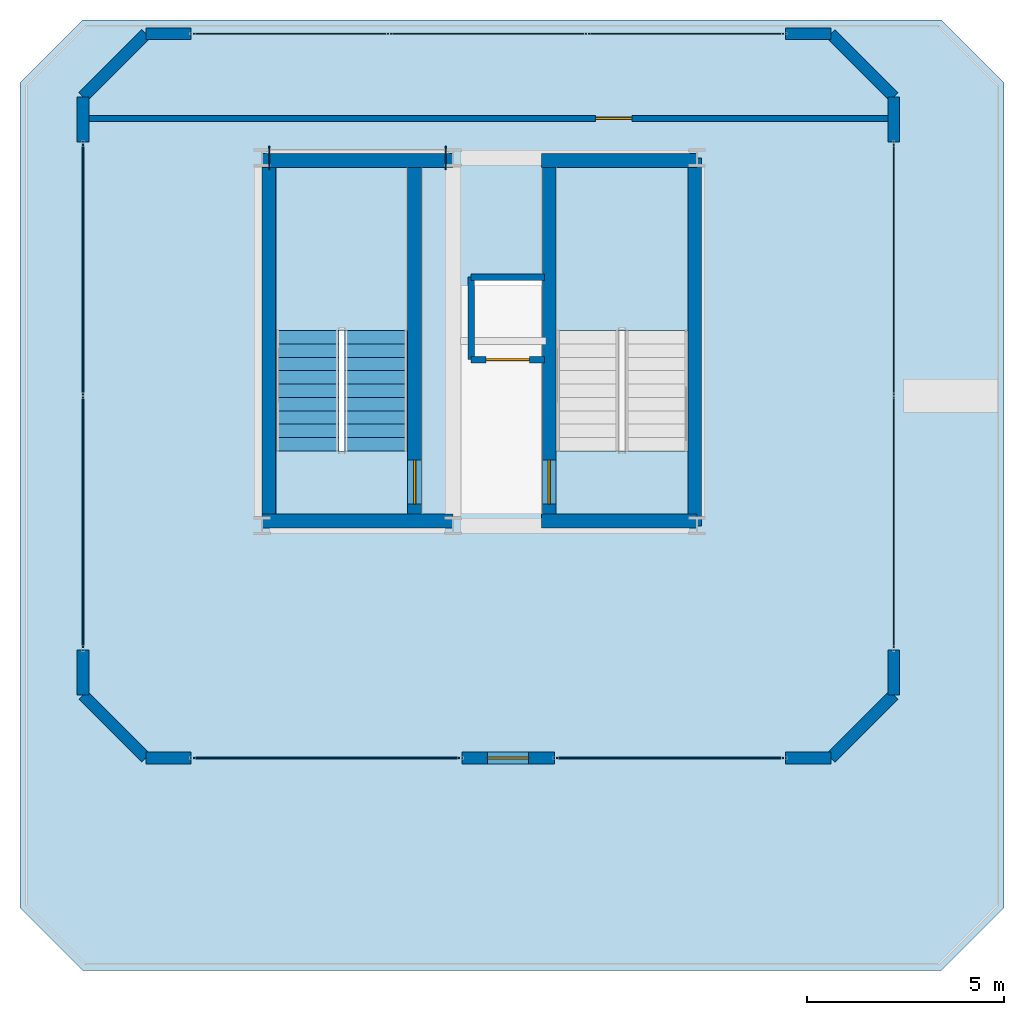
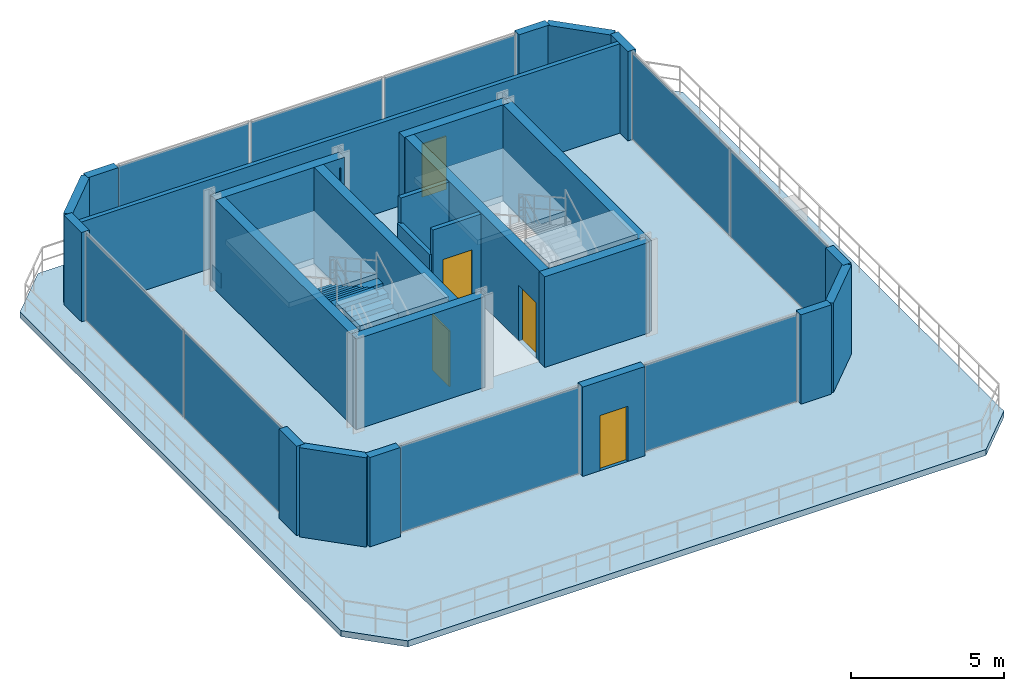
# One storey, part 10 of 12: 25 walls, 11 plates, 5 doors, 5 slabs, 2 stair flights, 5 openings, 7 elements without a shape of their own.
"""IFC4 building model written with IfcOpenShell, lengths in metres."""

from ifc_helpers import new_model, si_unit, direction, frame, frame_2d, origin, origin_2d, place, context, subcontext, project, spatial, polyline, rectangle, outline, extrude, material, layer, layer_set, type_object, element, fill, aggregate, save


model = new_model("IFC4")

# Units and contexts
model_context = context("Model", 3, precision=1e-05, world=origin(), true_north=direction((0.0, 1.0)))
body_context = subcontext(model_context, "Body", "Model", "MODEL_VIEW")
ifc_project = project(units=[si_unit("LENGTHUNIT", "METRE"), si_unit("AREAUNIT", "SQUARE_METRE"), si_unit("VOLUMEUNIT", "CUBIC_METRE"), si_unit("PLANEANGLEUNIT", "RADIAN"), si_unit("MASSUNIT", "GRAM", prefix="KILO")], contexts=[model_context])

# Site, building, storey
site_placement = place(None, origin())
site = spatial("IfcSite", under=ifc_project, at=site_placement, CompositionType="ELEMENT")
building_placement = place(site_placement, origin())
building = spatial("IfcBuilding", under=site, at=building_placement, Name="Zuhayl Quay Hotel", CompositionType="ELEMENT")
storey_placement = place(building_placement, frame((0.0, 0.0, 312.449951171875)))
storey = spatial("IfcBuildingStorey", under=building, at=storey_placement, Name="Crown 5", CompositionType="ELEMENT", Elevation=312.449951171875)

# Curtain wall, plates
ifc_material_1 = material(Name="Anodised Aluminium 6063-T6", Category="aluminium")
ifc_layer_1 = layer(ifc_material_1, 0.159912109375, Name="Anodised Aluminium 6063-T6", Category="aluminium")
ifc_layer_set_1 = layer_set([ifc_layer_1], Name="Anodised Aluminium 6063-T6")
curtain_wall_type = type_object("IfcCurtainWallType", Name="CW_SYS_CRN", PredefinedType="USERDEFINED", material=ifc_layer_set_1)
curtain_wall_1_placement = place(storey_placement, origin())
curtain_wall_1 = element("IfcCurtainWall", 1, at=curtain_wall_1_placement, inside=storey, type_object=curtain_wall_type, Name="Crown 5 Curtain Wall ENV_CR5_E1_CW1", ObjectType="UNITISED CURTAIN WALL", PredefinedType="USERDEFINED")
ifc_material_2 = material(Name="Spandrel Fritted Solar Glass", Category="glass")
ifc_layer_2 = layer(ifc_material_2, 0.028076171875, Name="Spandrel Fritted Solar Glass", Category="glass")
ifc_layer_set_2 = layer_set([ifc_layer_2], Name="Spandrel Fritted Solar Glass")
plate_type_1 = type_object("IfcPlateType", Name="PN_CROWN_SCREEN", PredefinedType="CURTAIN_PANEL", material=ifc_layer_set_2)
plate_1_placement = place(storey_placement, frame((-14.0, 25.18994140625, 0.05517578125), z_axis=(0.0, 0.0, 1.0), x_axis=(0.0, 1.0, 0.0)))
plate_1 = element("IfcPlate", 2, at=plate_1_placement, type_object=plate_type_1, Name="CW-CRN panel 1.1", PredefinedType="CURTAIN_PANEL", context=body_context, shape_type="SweptSolid", body=[
    extrude(rectangle(XDim=6.360107421875, YDim=0.028076171875, at=origin_2d()), origin(), (0.0, 0.0, 1.0), 3.449951171875),
])
plate_2_placement = place(storey_placement, frame((-14.0, 31.610107421875, 0.05517578125), z_axis=(0.0, 0.0, 1.0), x_axis=(0.0, 1.0, 0.0)))
plate_2 = element("IfcPlate", 3, at=plate_2_placement, type_object=plate_type_1, Name="CW-CRN panel 2.1", PredefinedType="CURTAIN_PANEL", context=body_context, shape_type="SweptSolid", body=[
    extrude(rectangle(XDim=6.360107421875, YDim=0.028076171875, at=origin_2d()), origin(), (0.0, 0.0, 1.0), 3.449951171875),
])
aggregate(curtain_wall_1, [plate_1, plate_2])

curtain_wall_2_placement = place(storey_placement, origin())
curtain_wall_2 = element("IfcCurtainWall", 4, at=curtain_wall_2_placement, inside=storey, type_object=curtain_wall_type, Name="Crown 5 Curtain Wall ENV_CR5_E3_CW1", ObjectType="UNITISED CURTAIN WALL", PredefinedType="USERDEFINED")
plate_3_placement = place(storey_placement, frame((-8.71826171875, 37.60009765625, 0.05517578125), z_axis=(0.0, 0.0, 1.0), x_axis=(1.0, 0.0, 0.0)))
plate_3 = element("IfcPlate", 5, at=plate_3_placement, type_object=plate_type_1, Name="CW-CRN panel 1.1", PredefinedType="CURTAIN_PANEL", context=body_context, shape_type="SweptSolid", body=[
    extrude(rectangle(XDim=4.943359375, YDim=0.028076171875, at=origin_2d()), origin(), (0.0, 0.0, 1.0), 3.449951171875),
])
plate_4_placement = place(storey_placement, frame((-3.699951171875, 37.60009765625, 0.05517578125), z_axis=(0.0, 0.0, 1.0), x_axis=(1.0, 0.0, 0.0)))
plate_4 = element("IfcPlate", 6, at=plate_4_placement, type_object=plate_type_1, Name="CW-CRN panel 2.1", PredefinedType="CURTAIN_PANEL", context=body_context, shape_type="SweptSolid", body=[
    extrude(rectangle(XDim=4.973388671875, YDim=0.028076171875, at=origin_2d()), origin(), (0.0, 0.0, 1.0), 3.449951171875),
])
plate_5_placement = place(storey_placement, frame((1.318359375, 37.60009765625, 0.05517578125), z_axis=(0.0, 0.0, 1.0), x_axis=(1.0, 0.0, 0.0)))
plate_5 = element("IfcPlate", 7, at=plate_5_placement, type_object=plate_type_1, Name="CW-CRN panel 3.1", PredefinedType="CURTAIN_PANEL", context=body_context, shape_type="SweptSolid", body=[
    extrude(rectangle(XDim=4.943359375, YDim=0.028076171875, at=origin_2d()), origin(), (0.0, 0.0, 1.0), 3.449951171875),
])
aggregate(curtain_wall_2, [plate_3, plate_4, plate_5])

curtain_wall_3_placement = place(storey_placement, origin())
curtain_wall_3 = element("IfcCurtainWall", 8, at=curtain_wall_3_placement, inside=storey, type_object=curtain_wall_type, Name="Crown 5 Curtain Wall ENV_CR5_E5_CW1", ObjectType="UNITISED CURTAIN WALL", PredefinedType="USERDEFINED")
plate_6_placement = place(storey_placement, frame((6.60009765625, 31.610107421875, 0.05517578125), z_axis=(0.0, 0.0, 1.0), x_axis=(0.0, -1.0, 0.0)))
plate_6 = element("IfcPlate", 9, at=plate_6_placement, type_object=plate_type_1, Name="CW-CRN panel 1.1", PredefinedType="CURTAIN_PANEL", context=body_context, shape_type="SweptSolid", body=[
    extrude(rectangle(XDim=6.360107421875, YDim=0.028076171875, at=origin_2d()), origin(), (0.0, 0.0, 1.0), 3.449951171875),
])
plate_7_placement = place(storey_placement, frame((6.60009765625, 25.18994140625, 0.05517578125), z_axis=(0.0, 0.0, 1.0), x_axis=(0.0, -1.0, 0.0)))
plate_7 = element("IfcPlate", 10, at=plate_7_placement, type_object=plate_type_1, Name="CW-CRN panel 2.1", PredefinedType="CURTAIN_PANEL", context=body_context, shape_type="SweptSolid", body=[
    extrude(rectangle(XDim=6.360107421875, YDim=0.028076171875, at=origin_2d()), origin(), (0.0, 0.0, 1.0), 3.449951171875),
])
aggregate(curtain_wall_3, [plate_6, plate_7])

# Curtain wall, plate
curtain_wall_4_placement = place(storey_placement, origin())
curtain_wall_4 = element("IfcCurtainWall", 11, at=curtain_wall_4_placement, inside=storey, type_object=curtain_wall_type, Name="Crown 5 Curtain Wall ENV_CR5_E7_CW1", ObjectType="UNITISED CURTAIN WALL", PredefinedType="USERDEFINED")
plate_8_placement = place(storey_placement, frame((0.91259765625, 19.199951171875, 0.05517578125), z_axis=(0.0, 0.0, 1.0), x_axis=(-1.0, 0.0, 0.0)))
plate_8 = element("IfcPlate", 12, at=plate_8_placement, type_object=plate_type_1, Name="CW-CRN panel 1.1", PredefinedType="CURTAIN_PANEL", context=body_context, shape_type="SweptSolid", body=[
    extrude(rectangle(XDim=5.7548828125, YDim=0.028076171875, at=origin_2d()), origin(), (0.0, 0.0, 1.0), 3.449951171875),
])
aggregate(curtain_wall_4, [plate_8])

curtain_wall_5_placement = place(storey_placement, origin())
curtain_wall_5 = element("IfcCurtainWall", 13, at=curtain_wall_5_placement, inside=storey, type_object=curtain_wall_type, Name="Crown 5 Curtain Wall ENV_CR5_E7_CW2", ObjectType="UNITISED CURTAIN WALL", PredefinedType="USERDEFINED")
plate_9_placement = place(storey_placement, frame((-7.8125, 19.199951171875, 0.05517578125), z_axis=(0.0, 0.0, 1.0), x_axis=(-1.0, 0.0, 0.0)))
plate_9 = element("IfcPlate", 14, at=plate_9_placement, type_object=plate_type_1, Name="CW-CRN panel 1.1", PredefinedType="CURTAIN_PANEL", context=body_context, shape_type="SweptSolid", body=[
    extrude(rectangle(XDim=6.7548828125, YDim=0.028076171875, at=origin_2d()), origin(), (0.0, 0.0, 1.0), 3.449951171875),
])
aggregate(curtain_wall_5, [plate_9])

# Slab
ifc_material_3 = material(Name="Concrete C45/55", Category="concrete")
ifc_layer_3 = layer(ifc_material_3, 0.239990234375, Name="Concrete C45/55", Category="concrete")
ifc_layer_set_3 = layer_set([ifc_layer_3], Name="Concrete C45/55")
slab_type_1 = type_object("IfcSlabType", Name="SL_CROWN_ROOF_240", PredefinedType="ROOF", material=ifc_layer_set_3)
slab_1_placement = place(storey_placement, frame((0.0, 0.0, -0.239990234375)))
element("IfcSlab", 15, at=slab_1_placement, inside=storey, type_object=slab_type_1, Name="Crown 5 Stepped Crown Terrace and Roof Slab", PredefinedType="ROOF", context=body_context, shape_type="SweptSolid", body=[
    extrude(outline(polyline([(-14.0, 13.800048828125), (7.800048828125, 13.800048828125), (9.39990234375, 15.39990234375), (9.39990234375, 36.35009765625), (7.800048828125, 37.949951171875), (-14.0, 37.949951171875), (-15.60009765625, 36.35009765625), (-15.60009765625, 15.39990234375), (-14.0, 13.800048828125)]), holes=[polyline([(-5.75, 25.39990234375), (-5.75, 34.199951171875), (-9.10009765625, 34.199951171875), (-9.10009765625, 25.39990234375), (-5.75, 25.39990234375)]), polyline([(1.3701171875, 25.39990234375), (1.3701171875, 34.199951171875), (-1.97998046875, 34.199951171875), (-1.97998046875, 25.39990234375), (1.3701171875, 25.39990234375)]), polyline([(-4.080078125, 29.39990234375), (-2.340087890625, 29.39990234375), (-2.340087890625, 31.35009765625), (-4.080078125, 31.35009765625), (-4.080078125, 29.39990234375)])]), origin(), (0.0, 0.0, 1.0), 0.239990234375),
])

# Stair, slabs
stair_type = type_object("IfcStairType", Name="ST_DOGLEG_PODIUM", PredefinedType="HALF_TURN_STAIR", material=ifc_material_3)
stair_1_placement = place(storey_placement, origin())
stair_1 = element("IfcStair", 16, at=stair_1_placement, inside=storey, type_object=stair_type, Name="Crown 5 Smokeproof Exit Stair ST5", PredefinedType="HALF_TURN_STAIR")
ifc_layer_4 = layer(ifc_material_3, 0.199951171875, Name="Concrete C45/55", Category="concrete")
ifc_layer_set_4 = layer_set([ifc_layer_4], Name="Concrete C45/55")
slab_type_2 = type_object("IfcSlabType", Name="SL_STAIR_LANDING_200", PredefinedType="LANDING", material=ifc_layer_set_4)
slab_2_placement = place(storey_placement, frame((0.0, 0.0, 1.699951171875)))
slab_2 = element("IfcSlab", 17, at=slab_2_placement, type_object=slab_type_2, Name="ST5 landing 1", PredefinedType="LANDING", context=body_context, shape_type="SweptSolid", body=[
    extrude(outline(polyline([(-5.75, 30.06005859375), (-5.75, 34.199951171875), (-9.10009765625, 34.199951171875), (-9.10009765625, 30.06005859375), (-5.75, 30.06005859375)])), origin(), (0.0, 0.0, 1.0), 0.2001953125),
])
slab_3_placement = place(storey_placement, frame((0.0, 0.0, 3.60009765625)))
slab_3 = element("IfcSlab", 18, at=slab_3_placement, type_object=slab_type_2, Name="ST5 landing 2", PredefinedType="LANDING", context=body_context, shape_type="SweptSolid", body=[
    extrude(outline(polyline([(-5.75, 25.39990234375), (-5.75, 27.0), (-9.10009765625, 27.0), (-9.10009765625, 25.39990234375), (-5.75, 25.39990234375)])), origin(), (0.0, 0.0, 1.0), 0.199951171875),
])

stair_2_placement = place(storey_placement, origin())
stair_2 = element("IfcStair", 19, at=stair_2_placement, inside=storey, type_object=stair_type, Name="Crown 5 Smokeproof Exit Stair ST6", PredefinedType="HALF_TURN_STAIR")
slab_4_placement = place(storey_placement, frame((0.0, 0.0, 1.699951171875)))
slab_4 = element("IfcSlab", 20, at=slab_4_placement, type_object=slab_type_2, Name="ST6 landing 1", PredefinedType="LANDING", context=body_context, shape_type="SweptSolid", body=[
    extrude(outline(polyline([(1.3701171875, 30.06005859375), (1.3701171875, 34.199951171875), (-1.97998046875, 34.199951171875), (-1.97998046875, 30.06005859375), (1.3701171875, 30.06005859375)])), origin(), (0.0, 0.0, 1.0), 0.2001953125),
])
slab_5_placement = place(storey_placement, frame((0.0, 0.0, 3.60009765625)))
slab_5 = element("IfcSlab", 21, at=slab_5_placement, type_object=slab_type_2, Name="ST6 landing 2", PredefinedType="LANDING", context=body_context, shape_type="SweptSolid", body=[
    extrude(outline(polyline([(1.3701171875, 25.39990234375), (1.3701171875, 27.0), (-1.97998046875, 27.0), (-1.97998046875, 25.39990234375), (1.3701171875, 25.39990234375)])), origin(), (0.0, 0.0, 1.0), 0.199951171875),
])
aggregate(stair_2, [slab_4, slab_5])

# Plates
ifc_material_4 = material(Name="Steel ASTM A572 Grade 50", Category="steel")
ifc_layer_5 = layer(ifc_material_4, 0.030029296875, Name="Steel ASTM A572 Grade 50", Category="steel")
ifc_layer_set_5 = layer_set([ifc_layer_5], Name="Steel ASTM A572 Grade 50")
plate_type_2 = type_object("IfcPlateType", Name="TP_CAP_PLATE_30", PredefinedType="USERDEFINED", material=ifc_layer_set_5)
for number, where, z_axis, x_axis, name in (
    (22, (-9.2705078125, 34.449951171875, 0.04541015625), (0.0, 0.0, 1.0), (-1.0, 0.0, 0.0), "Truss Node Cap Assembly KN2"),
    (23, (-4.779541015625, 34.449951171875, 2.65771484375), (0.0, 0.0, 1.0), (1.0, 0.0, 0.0), "Truss Node Cap Assembly KN2"),
):
    element("IfcPlate", number, at=place(storey_placement, frame(where, z_axis=z_axis, x_axis=x_axis)), inside=storey, type_object=plate_type_2, Name=name, ObjectType="GUSSET PLATE", PredefinedType="USERDEFINED", context=body_context, shape_type="SweptSolid", body=[
        extrude(rectangle(XDim=0.030029296875, YDim=0.596923828125, at=origin_2d()), origin(), (0.0, 0.0, 1.0), 0.596923828125),
    ])

# Walls
ifc_material_5 = material(Name="Precast concrete C45/55", Category="concrete")
ifc_layer_6 = layer(ifc_material_5, 0.300048828125, Name="Precast concrete C45/55", Category="concrete")
ifc_layer_set_6 = layer_set([ifc_layer_6], Name="Precast concrete C45/55")
wall_type_1 = type_object("IfcWallType", Name="WL_EXT_300", PredefinedType="STANDARD", material=ifc_layer_set_6)
for number, where, z_axis, x_axis, name in (
    (24, (-14.0, 20.800048828125, 0.0), (0.0, 0.0, 1.0), (0.0, 1.0, 0.0), "Crown 5 Exterior Precast Wall ENV_CR5_E1_EW1"),
    (25, (-14.0, 34.85009765625, 0.0), (0.0, 0.0, 1.0), (0.0, 1.0, 0.0), "Crown 5 Exterior Precast Wall ENV_CR5_E1_EW2"),
):
    element("IfcWall", number, at=place(storey_placement, frame(where, z_axis=z_axis, x_axis=x_axis)), inside=storey, type_object=wall_type_1, Name=name, PredefinedType="STANDARD", context=body_context, shape_type="SweptSolid", body=[
        extrude(rectangle(XDim=1.14990234375, YDim=0.300048828125, at=frame_2d((0.574951171875, 0.0))), origin(), (0.0, 0.0, 1.0), 3.56005859375),
    ])
wall_1_placement = place(storey_placement, frame((-14.0, 36.0, 0.0), z_axis=(0.0, 0.0, 1.0), x_axis=(0.707106781187, 0.707106781187, 0.0)))
element("IfcWall", 26, at=wall_1_placement, inside=storey, type_object=wall_type_1, Name="Crown 5 Exterior Precast Wall ENV_CR5_EW2", PredefinedType="STANDARD", context=body_context, shape_type="SweptSolid", body=[
    extrude(rectangle(XDim=2.262939453125, YDim=0.300048828125, at=frame_2d((1.13134765625, 0.0))), origin(), (0.0, 0.0, 1.0), 3.56005859375),
])
for number, where, z_axis, x_axis, name in (
    (27, (-12.39990234375, 37.60009765625, 0.0), (0.0, 0.0, 1.0), (1.0, 0.0, 0.0), "Crown 5 Exterior Precast Wall ENV_CR5_E3_EW1"),
    (28, (3.85009765625, 37.60009765625, 0.0), (0.0, 0.0, 1.0), (1.0, 0.0, 0.0), "Crown 5 Exterior Precast Wall ENV_CR5_E3_EW2"),
):
    element("IfcWall", number, at=place(storey_placement, frame(where, z_axis=z_axis, x_axis=x_axis)), inside=storey, type_object=wall_type_1, Name=name, PredefinedType="STANDARD", context=body_context, shape_type="SweptSolid", body=[
        extrude(rectangle(XDim=1.14990234375, YDim=0.300048828125, at=frame_2d((0.574951171875, 0.0))), origin(), (0.0, 0.0, 1.0), 3.56005859375),
    ])
wall_2_placement = place(storey_placement, frame((5.0, 37.60009765625, 0.0), z_axis=(0.0, 0.0, 1.0), x_axis=(0.707106781187, -0.707106781187, 0.0)))
element("IfcWall", 29, at=wall_2_placement, inside=storey, type_object=wall_type_1, Name="Crown 5 Exterior Precast Wall ENV_CR5_EW4", PredefinedType="STANDARD", context=body_context, shape_type="SweptSolid", body=[
    extrude(rectangle(XDim=2.262939453125, YDim=0.300048828125, at=frame_2d((1.13134765625, 0.0))), origin(), (0.0, 0.0, 1.0), 3.56005859375),
])
for number, where, z_axis, x_axis, name in (
    (30, (6.60009765625, 36.0, 0.0), (0.0, 0.0, 1.0), (0.0, -1.0, 0.0), "Crown 5 Exterior Precast Wall ENV_CR5_E5_EW1"),
    (31, (6.60009765625, 21.949951171875, 0.0), (0.0, 0.0, 1.0), (0.0, -1.0, 0.0), "Crown 5 Exterior Precast Wall ENV_CR5_E5_EW2"),
):
    element("IfcWall", number, at=place(storey_placement, frame(where, z_axis=z_axis, x_axis=x_axis)), inside=storey, type_object=wall_type_1, Name=name, PredefinedType="STANDARD", context=body_context, shape_type="SweptSolid", body=[
        extrude(rectangle(XDim=1.14990234375, YDim=0.300048828125, at=frame_2d((0.574951171875, 0.0))), origin(), (0.0, 0.0, 1.0), 3.56005859375),
    ])
wall_3_placement = place(storey_placement, frame((6.60009765625, 20.800048828125, 0.0), z_axis=(0.0, 0.0, 1.0), x_axis=(-0.707106781187, -0.707106781187, 0.0)))
element("IfcWall", 32, at=wall_3_placement, inside=storey, type_object=wall_type_1, Name="Crown 5 Exterior Precast Wall ENV_CR5_EW6", PredefinedType="STANDARD", context=body_context, shape_type="SweptSolid", body=[
    extrude(rectangle(XDim=2.262939453125, YDim=0.300048828125, at=frame_2d((1.13134765625, 0.0))), origin(), (0.0, 0.0, 1.0), 3.56005859375),
])
wall_4_placement = place(storey_placement, frame((5.0, 19.199951171875, 0.0), z_axis=(0.0, 0.0, 1.0), x_axis=(-1.0, 0.0, 0.0)))
element("IfcWall", 33, at=wall_4_placement, inside=storey, type_object=wall_type_1, Name="Crown 5 Exterior Precast Wall ENV_CR5_E7_EW1", PredefinedType="STANDARD", context=body_context, shape_type="SweptSolid", body=[
    extrude(rectangle(XDim=1.14990234375, YDim=0.300048828125, at=frame_2d((0.574951171875, 0.0))), origin(), (0.0, 0.0, 1.0), 3.56005859375),
])

# Wall, opening, door
wall_5_placement = place(storey_placement, frame((-2.02490234375, 19.199951171875, 0.0), z_axis=(0.0, 0.0, 1.0), x_axis=(-1.0, 0.0, 0.0)))
wall_5 = element("IfcWall", 34, at=wall_5_placement, inside=storey, type_object=wall_type_1, Name="Crown 5 Exterior Precast Wall ENV_CR5_E7_EW2", PredefinedType="STANDARD", context=body_context, shape_type="SweptSolid", body=[
    extrude(rectangle(XDim=2.35009765625, YDim=0.300048828125, at=frame_2d((1.175048828125, 0.0))), origin(), (0.0, 0.0, 1.0), 3.56005859375),
])
opening_1_placement = place(wall_5_placement, frame((0.64990234375, 0.0, 0.0)))
opening_1 = element("IfcOpeningElement", 35, at=opening_1_placement, cuts=wall_5, Name="Opening DG1", PredefinedType="OPENING", context=body_context, shape_type="SweptSolid", body=[
    extrude(rectangle(XDim=1.050048828125, YDim=2.199951171875, at=frame_2d((0.52490234375, 1.10009765625))), frame((0.0, 0.159912109375, 0.0), z_axis=(0.0, -1.0, 0.0), x_axis=(1.0, 0.0, 0.0)), (0.0, 0.0, 1.0), 0.320068359375),
])
ifc_material_6 = material(Name="Anodised Aluminium and Dark Solar Glass", Category="aluminium")
door_type_1 = type_object("IfcDoorType", Name="DR_EXT_TERR_1050", OperationType="NOTDEFINED", PredefinedType="DOOR", material=ifc_material_6)
door_1_placement = place(opening_1_placement, origin())
door_1 = element("IfcDoor", 36, at=door_1_placement, inside=storey, type_object=door_type_1, Name="Crown 5 Stepped Crown Terrace Access Door", OperationType="SINGLE_SWING_RIGHT", OverallHeight=2.199951171875, OverallWidth=1.050048828125, PredefinedType="DOOR", context=body_context, shape_type="SweptSolid", body=[
    extrude(rectangle(XDim=1.050048828125, YDim=2.199951171875, at=frame_2d((0.52490234375, 1.10009765625))), frame((0.0, 0.02490234375, 0.0), z_axis=(0.0, -1.0, 0.0), x_axis=(1.0, 0.0, 0.0)), (0.0, 0.0, 1.0), 0.050048828125),
])
fill(opening_1, door_1)

# Walls
wall_6_placement = place(storey_placement, frame((-11.25, 19.199951171875, 0.0), z_axis=(0.0, 0.0, 1.0), x_axis=(-1.0, 0.0, 0.0)))
element("IfcWall", 37, at=wall_6_placement, inside=storey, type_object=wall_type_1, Name="Crown 5 Exterior Precast Wall ENV_CR5_E7_EW3", PredefinedType="STANDARD", context=body_context, shape_type="SweptSolid", body=[
    extrude(rectangle(XDim=1.14990234375, YDim=0.300048828125, at=frame_2d((0.574951171875, 0.0))), origin(), (0.0, 0.0, 1.0), 3.56005859375),
])
wall_7_placement = place(storey_placement, frame((-12.39990234375, 19.199951171875, 0.0), z_axis=(0.0, 0.0, 1.0), x_axis=(-0.707106781187, 0.707106781187, 0.0)))
element("IfcWall", 38, at=wall_7_placement, inside=storey, type_object=wall_type_1, Name="Crown 5 Exterior Precast Wall ENV_CR5_EW8", PredefinedType="STANDARD", context=body_context, shape_type="SweptSolid", body=[
    extrude(rectangle(XDim=2.262939453125, YDim=0.300048828125, at=frame_2d((1.13134765625, 0.0))), origin(), (0.0, 0.0, 1.0), 3.56005859375),
])

# Wall, opening, door
ifc_material_7 = material(Name="Acoustic Gypsum Partition STC-58")
ifc_layer_7 = layer(ifc_material_7, 0.159912109375, Name="Acoustic Gypsum Partition STC-58")
ifc_layer_set_7 = layer_set([ifc_layer_7], Name="Acoustic Gypsum Partition STC-58")
wall_type_2 = type_object("IfcWallType", Name="WL_PART_CORR_160", PredefinedType="PARTITIONING", material=ifc_layer_set_7)
wall_8_placement = place(storey_placement, frame((-13.93994140625, 35.449951171875, 0.0), z_axis=(0.0, 0.0, 1.0), x_axis=(1.0, 0.0, 0.0)))
wall_8 = element("IfcWall", 39, at=wall_8_placement, inside=storey, type_object=wall_type_2, Name="Crown 5 Partition IW_CR5_DIV", PredefinedType="PARTITIONING", context=body_context, shape_type="SweptSolid", body=[
    extrude(rectangle(XDim=20.47998046875, YDim=0.159912109375, at=frame_2d((10.239990234375, 0.0))), origin(), (0.0, 0.0, 1.0), 3.56005859375),
])
opening_2_placement = place(wall_8_placement, frame((12.965087890625, 0.0, 0.0)))
opening_2 = element("IfcOpeningElement", 40, at=opening_2_placement, cuts=wall_8, Name="Opening D05", PredefinedType="OPENING", context=body_context, shape_type="SweptSolid", body=[
    extrude(rectangle(XDim=0.919921875, YDim=2.1201171875, at=frame_2d((0.4599609375, 1.06005859375))), frame((0.0, 0.08984375, 0.0), z_axis=(0.0, -1.0, 0.0), x_axis=(1.0, 0.0, 0.0)), (0.0, 0.0, 1.0), 0.179931640625),
])
ifc_material_8 = material(Name="Solid Walnut Acoustic Fire Door")
door_type_2 = type_object("IfcDoorType", Name="DR_INT_950", OperationType="NOTDEFINED", PredefinedType="DOOR", material=ifc_material_8)
door_2_placement = place(opening_2_placement, origin())
door_2 = element("IfcDoor", 41, at=door_2_placement, inside=storey, type_object=door_type_2, Name="Crown 5 Equipment Room Door", OperationType="SINGLE_SWING_LEFT", OverallHeight=2.1201171875, OverallWidth=0.919921875, PredefinedType="DOOR", context=body_context, shape_type="SweptSolid", body=[
    extrude(rectangle(XDim=0.919921875, YDim=2.1201171875, at=frame_2d((0.4599609375, 1.06005859375))), frame((0.0, 0.02490234375, 0.0), z_axis=(0.0, -1.0, 0.0), x_axis=(1.0, 0.0, 0.0)), (0.0, 0.0, 1.0), 0.050048828125),
])
fill(opening_2, door_2)

ifc_material_9 = material(Name="Gypsum Fireboard Assembly EI-90")
ifc_layer_8 = layer(ifc_material_9, 0.1650390625, Name="Gypsum Fireboard Assembly EI-90")
ifc_layer_set_8 = layer_set([ifc_layer_8], Name="Gypsum Fireboard Assembly EI-90")
wall_type_3 = type_object("IfcWallType", Name="WL_PART_SHAFT_160", PredefinedType="PARTITIONING", material=ifc_layer_set_8)
wall_9_placement = place(storey_placement, frame((-4.139892578125, 29.320068359375, 0.0), z_axis=(0.0, 0.0, 1.0), x_axis=(1.0, 0.0, 0.0)))
wall_9 = element("IfcWall", 42, at=wall_9_placement, inside=storey, type_object=wall_type_3, Name="Crown 5 Partition IW_CR5_SH_CLF1_F", PredefinedType="PARTITIONING", context=body_context, shape_type="SweptSolid", body=[
    extrude(rectangle(XDim=1.85986328125, YDim=0.1650390625, at=frame_2d((0.929931640625, 0.0))), origin(), (0.0, 0.0, 1.0), 3.56005859375),
])
opening_3_placement = place(wall_9_placement, frame((0.3798828125, 0.0, 0.0)))
opening_3 = element("IfcOpeningElement", 43, at=opening_3_placement, cuts=wall_9, Name="Opening LD1", PredefinedType="OPENING", context=body_context, shape_type="SweptSolid", body=[
    extrude(rectangle(XDim=1.10009765625, YDim=2.25, at=frame_2d((0.550048828125, 1.125))), frame((0.0, 0.092529296875, 0.0), z_axis=(0.0, -1.0, 0.0), x_axis=(1.0, 0.0, 0.0)), (0.0, 0.0, 1.0), 0.18505859375),
])
ifc_material_10 = material(Name="Brushed Stainless Steel", Category="steel")
door_type_3 = type_object("IfcDoorType", Name="DR_LIFT_PASS_1100", OperationType="SLIDING_TO_LEFT", PredefinedType="DOOR", material=ifc_material_10)
door_3_placement = place(opening_3_placement, origin())
door_3 = element("IfcDoor", 44, at=door_3_placement, inside=storey, type_object=door_type_3, Name="Crown 5 Lift CLF1 Sliding Landing Door", OperationType="SLIDING_TO_LEFT", OverallHeight=2.25, OverallWidth=1.10009765625, PredefinedType="DOOR", context=body_context, shape_type="SweptSolid", body=[
    extrude(rectangle(XDim=1.10009765625, YDim=2.25, at=frame_2d((0.550048828125, 1.125))), frame((0.0, 0.02490234375, 0.0), z_axis=(0.0, -1.0, 0.0), x_axis=(1.0, 0.0, 0.0)), (0.0, 0.0, 1.0), 0.050048828125),
])
fill(opening_3, door_3)

# Walls
wall_10_placement = place(storey_placement, frame((-4.139892578125, 29.320068359375, 0.0), z_axis=(0.0, 0.0, 1.0), x_axis=(0.0, 1.0, 0.0)))
element("IfcWall", 45, at=wall_10_placement, inside=storey, type_object=wall_type_3, Name="Crown 5 Partition IW_CR5_SH_CLF1_W", PredefinedType="PARTITIONING", context=body_context, shape_type="SweptSolid", body=[
    extrude(rectangle(XDim=2.099853515625, YDim=0.1650390625, at=frame_2d((1.0498046875, 0.0))), origin(), (0.0, 0.0, 1.0), 2.549072265625),
])
wall_11_placement = place(storey_placement, frame((-4.139892578125, 31.419921875, 0.0), z_axis=(0.0, 0.0, 1.0), x_axis=(1.0, 0.0, 0.0)))
element("IfcWall", 46, at=wall_11_placement, inside=storey, type_object=wall_type_3, Name="Crown 5 Partition IW_CR5_SH_CLF1_N", PredefinedType="PARTITIONING", context=body_context, shape_type="SweptSolid", body=[
    extrude(rectangle(XDim=1.85986328125, YDim=0.1650390625, at=frame_2d((0.929931640625, 0.0))), origin(), (0.0, 0.0, 1.0), 3.56005859375),
])

# Wall, opening, door
ifc_material_11 = material(Name="Concrete C50/60", Category="concrete")
ifc_layer_9 = layer(ifc_material_11, 0.35009765625, Name="Concrete C50/60", Category="concrete")
ifc_layer_set_9 = layer_set([ifc_layer_9], Name="Concrete C50/60")
wall_type_4 = type_object("IfcWallType", Name="WL_STAIR_350", PredefinedType="SHEAR", material=ifc_layer_set_9)
wall_12_placement = place(storey_placement, frame((-5.574951171875, 25.10009765625, -0.18994140625), z_axis=(0.0, 0.0, 1.0), x_axis=(0.0, 1.0, 0.0)))
wall_12 = element("IfcWall", 47, at=wall_12_placement, inside=storey, type_object=wall_type_4, Name="Crown 5 Crown Stair Shear Wall SW_ST5_E", PredefinedType="SHEAR", context=body_context, shape_type="SweptSolid", body=[
    extrude(rectangle(XDim=9.349853515625, YDim=0.35009765625, at=frame_2d((4.6748046875, 0.0))), origin(), (0.0, 0.0, 1.0), 3.800048828125),
])
opening_4_placement = place(wall_12_placement, frame((0.550048828125, 0.0, 0.18994140625)))
opening_4 = element("IfcOpeningElement", 48, at=opening_4_placement, cuts=wall_12, Name="Opening D01", PredefinedType="OPENING", context=body_context, shape_type="SweptSolid", body=[
    extrude(rectangle(XDim=1.1201171875, YDim=2.219970703125, at=frame_2d((0.56005859375, 1.10986328125))), frame((0.0, 0.18505859375, 0.0), z_axis=(0.0, -1.0, 0.0), x_axis=(1.0, 0.0, 0.0)), (0.0, 0.0, 1.0), 0.3701171875),
])
ifc_material_12 = material(Name="Steel ASTM A992 Grade 50", Category="steel")
door_type_4 = type_object("IfcDoorType", Name="DR_STAIR_90_1100", OperationType="NOTDEFINED", PredefinedType="DOOR", material=ifc_material_12)
door_4_placement = place(opening_4_placement, origin())
door_4 = element("IfcDoor", 49, at=door_4_placement, inside=storey, type_object=door_type_4, Name="Crown 5 Crown Exit Stair ST5 Door", OperationType="SINGLE_SWING_RIGHT", OverallHeight=2.219970703125, OverallWidth=1.1201171875, PredefinedType="DOOR", context=body_context, shape_type="SweptSolid", body=[
    extrude(rectangle(XDim=1.1201171875, YDim=2.219970703125, at=frame_2d((0.56005859375, 1.10986328125))), frame((0.0, 0.02490234375, 0.0), z_axis=(0.0, -1.0, 0.0), x_axis=(1.0, 0.0, 0.0)), (0.0, 0.0, 1.0), 0.050048828125),
])
fill(opening_4, door_4)

# Walls
wall_13_placement = place(storey_placement, frame((-9.280029296875, 34.449951171875, -0.18994140625), z_axis=(0.0, 0.0, 1.0), x_axis=(0.0, -1.0, 0.0)))
element("IfcWall", 50, at=wall_13_placement, inside=storey, type_object=wall_type_4, Name="Crown 5 Crown Stair Shear Wall SW_ST5_W", PredefinedType="SHEAR", context=body_context, shape_type="SweptSolid", body=[
    extrude(rectangle(XDim=9.349853515625, YDim=0.35009765625, at=frame_2d((4.6748046875, 0.0))), origin(), (0.0, 0.0, 1.0), 3.800048828125),
])
for number, where, z_axis, x_axis, name in (
    (51, (-9.449951171875, 25.219970703125, -0.18994140625), (0.0, 0.0, 1.0), (1.0, 0.0, 0.0), "Crown 5 Crown Stair Shear Wall SW_ST5_S"),
    (52, (-9.449951171875, 34.3798828125, -0.18994140625), (0.0, 0.0, 1.0), (1.0, 0.0, 0.0), "Crown 5 Crown Stair Shear Wall SW_ST5_N"),
):
    element("IfcWall", number, at=place(storey_placement, frame(where, z_axis=z_axis, x_axis=x_axis)), inside=storey, type_object=wall_type_4, Name=name, PredefinedType="SHEAR", context=body_context, shape_type="SweptSolid", body=[
        extrude(rectangle(XDim=4.849853515625, YDim=0.35009765625, at=frame_2d((2.4248046875, 0.0))), origin(), (0.0, 0.0, 1.0), 3.800048828125),
    ])

# Wall, opening, door
wall_14_placement = place(storey_placement, frame((-2.155029296875, 34.449951171875, -0.18994140625), z_axis=(0.0, 0.0, 1.0), x_axis=(0.0, -1.0, 0.0)))
wall_14 = element("IfcWall", 53, at=wall_14_placement, inside=storey, type_object=wall_type_4, Name="Crown 5 Crown Stair Shear Wall SW_ST6_W", PredefinedType="SHEAR", context=body_context, shape_type="SweptSolid", body=[
    extrude(rectangle(XDim=9.349853515625, YDim=0.35009765625, at=frame_2d((4.6748046875, 0.0))), origin(), (0.0, 0.0, 1.0), 3.800048828125),
])
opening_5_placement = place(wall_14_placement, frame((7.679931640625, 0.0, 0.18994140625)))
opening_5 = element("IfcOpeningElement", 54, at=opening_5_placement, cuts=wall_14, Name="Opening D01", PredefinedType="OPENING", context=body_context, shape_type="SweptSolid", body=[
    extrude(rectangle(XDim=1.1201171875, YDim=2.219970703125, at=frame_2d((0.56005859375, 1.10986328125))), frame((0.0, 0.18505859375, 0.0), z_axis=(0.0, -1.0, 0.0), x_axis=(1.0, 0.0, 0.0)), (0.0, 0.0, 1.0), 0.3701171875),
])
door_5_placement = place(opening_5_placement, origin())
door_5 = element("IfcDoor", 55, at=door_5_placement, inside=storey, type_object=door_type_4, Name="Crown 5 Crown Exit Stair ST6 Door", OperationType="SINGLE_SWING_LEFT", OverallHeight=2.219970703125, OverallWidth=1.1201171875, PredefinedType="DOOR", context=body_context, shape_type="SweptSolid", body=[
    extrude(rectangle(XDim=1.1201171875, YDim=2.219970703125, at=frame_2d((0.56005859375, 1.10986328125))), frame((0.0, 0.02490234375, 0.0), z_axis=(0.0, -1.0, 0.0), x_axis=(1.0, 0.0, 0.0)), (0.0, 0.0, 1.0), 0.050048828125),
])
fill(opening_5, door_5)

# Walls
wall_15_placement = place(storey_placement, frame((1.544921875, 25.10009765625, -0.18994140625), z_axis=(0.0, 0.0, 1.0), x_axis=(0.0, 1.0, 0.0)))
element("IfcWall", 56, at=wall_15_placement, inside=storey, type_object=wall_type_4, Name="Crown 5 Crown Stair Shear Wall SW_ST6_E", PredefinedType="SHEAR", context=body_context, shape_type="SweptSolid", body=[
    extrude(rectangle(XDim=9.349853515625, YDim=0.35009765625, at=frame_2d((4.6748046875, 0.0))), origin(), (0.0, 0.0, 1.0), 3.800048828125),
])
for number, where, z_axis, x_axis, name in (
    (57, (-2.35009765625, 25.219970703125, -0.18994140625), (0.0, 0.0, 1.0), (1.0, 0.0, 0.0), "Crown 5 Crown Stair Shear Wall SW_ST6_S"),
    (58, (-2.35009765625, 34.3798828125, -0.18994140625), (0.0, 0.0, 1.0), (1.0, 0.0, 0.0), "Crown 5 Crown Stair Shear Wall SW_ST6_N"),
):
    element("IfcWall", number, at=place(storey_placement, frame(where, z_axis=z_axis, x_axis=x_axis)), inside=storey, type_object=wall_type_4, Name=name, PredefinedType="SHEAR", context=body_context, shape_type="SweptSolid", body=[
        extrude(rectangle(XDim=3.9501953125, YDim=0.35009765625, at=frame_2d((1.97509765625, 0.0))), origin(), (0.0, 0.0, 1.0), 3.800048828125),
    ])

# Stair flight
ifc_layer_10 = layer(ifc_material_3, 0.159912109375, Name="Concrete C45/55", Category="concrete")
ifc_layer_set_10 = layer_set([ifc_layer_10], Name="Concrete C45/55")
stair_flight_type = type_object("IfcStairFlightType", Name="SF_CONC_160", PredefinedType="STRAIGHT", material=ifc_layer_set_10)
stair_flight_1_placement = place(storey_placement, frame((-6.550048828125, 27.0, 0.0), z_axis=(0.0, 0.0, 1.0), x_axis=(0.0, 1.0, 0.0)))
stair_flight_1 = element("IfcStairFlight", 59, at=stair_flight_1_placement, type_object=stair_flight_type, Name="ST5 flight 1", NumberOfRisers=10, NumberOfTreads=9, PredefinedType="STRAIGHT", RiserHeight=0.19, TreadLength=0.34, context=body_context, shape_type="SweptSolid", body=[
    extrude(outline(polyline([(0.0, 0.0), (0.0, 0.18994140625), (0.340087890625, 0.18994140625), (0.340087890625, 0.3798828125), (0.679931640625, 0.3798828125), (0.679931640625, 0.570068359375), (1.02001953125, 0.570068359375), (1.02001953125, 0.760009765625), (1.360107421875, 0.760009765625), (1.360107421875, 0.949951171875), (1.699951171875, 0.949951171875), (1.699951171875, 1.139892578125), (2.0400390625, 1.139892578125), (2.0400390625, 1.330078125), (2.3798828125, 1.330078125), (2.3798828125, 1.52001953125), (2.719970703125, 1.52001953125), (2.719970703125, 1.7099609375), (3.06005859375, 1.7099609375), (3.06005859375, 1.89990234375), (3.06005859375, 1.538330078125), (0.307373046875, 0.0), (0.0, 0.0)])), frame((0.0, 0.800048828125, 0.0), z_axis=(0.0, -1.0, 0.0), x_axis=(1.0, 0.0, 0.0)), (0.0, 0.0, 1.0), 1.60009765625),
])

stair_flight_2_placement = place(storey_placement, frame((-8.300048828125, 30.06005859375, 1.900146484375), z_axis=(0.0, 0.0, 1.0), x_axis=(0.0, -1.0, 0.0)))
stair_flight_2 = element("IfcStairFlight", 60, at=stair_flight_2_placement, type_object=stair_flight_type, Name="ST5 flight 2", NumberOfRisers=10, NumberOfTreads=9, PredefinedType="STRAIGHT", RiserHeight=0.19, TreadLength=0.34, context=body_context, shape_type="SweptSolid", body=[
    extrude(outline(polyline([(0.0, 0.0), (0.0, 0.18994140625), (0.340087890625, 0.18994140625), (0.340087890625, 0.3798828125), (0.679931640625, 0.3798828125), (0.679931640625, 0.570068359375), (1.02001953125, 0.570068359375), (1.02001953125, 0.760009765625), (1.360107421875, 0.760009765625), (1.360107421875, 0.949951171875), (1.699951171875, 0.949951171875), (1.699951171875, 1.139892578125), (2.0400390625, 1.139892578125), (2.0400390625, 1.330078125), (2.3798828125, 1.330078125), (2.3798828125, 1.52001953125), (2.719970703125, 1.52001953125), (2.719970703125, 1.7099609375), (3.06005859375, 1.7099609375), (3.06005859375, 1.89990234375), (3.06005859375, 1.538330078125), (0.307373046875, 0.0), (0.0, 0.0)])), frame((0.0, 0.800048828125, 0.0), z_axis=(0.0, -1.0, 0.0), x_axis=(1.0, 0.0, 0.0)), (0.0, 0.0, 1.0), 1.60009765625),
])

aggregate(stair_1, [stair_flight_1, stair_flight_2, slab_2, slab_3])

save(model, "model.ifc")
